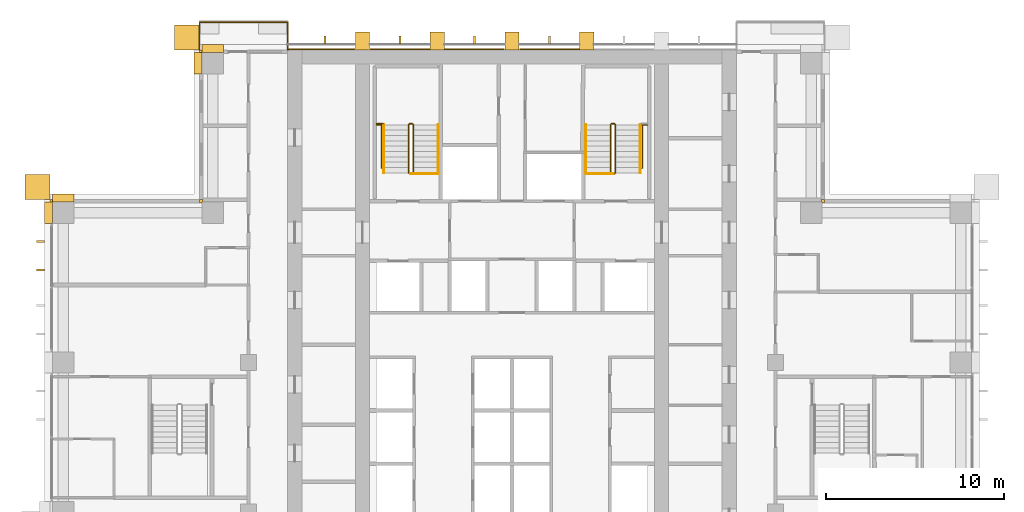
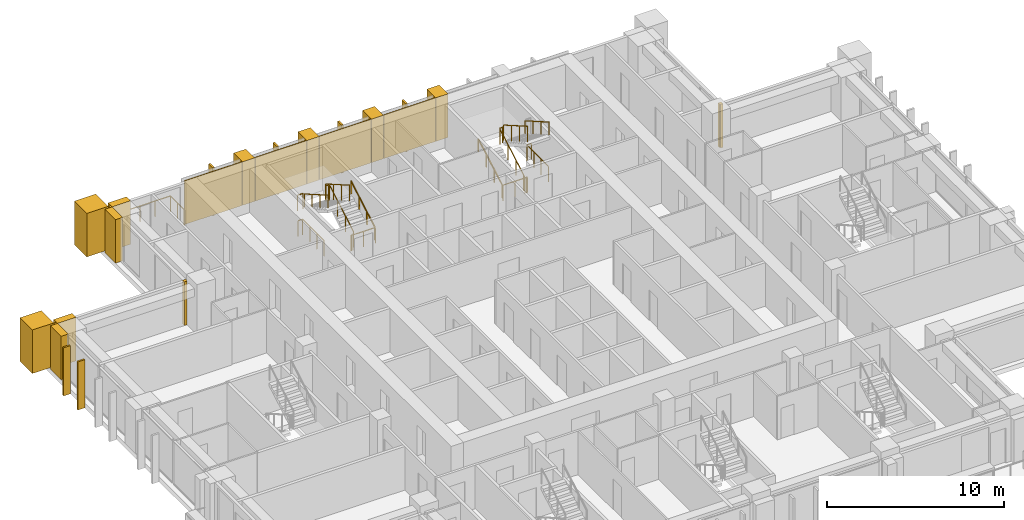
# One storey, part 20 of 21: 24 coverings, 12 railings.
"""IFC4 building model written with IfcOpenShell, lengths in metres."""

from ifc_helpers import new_model, si_unit, direction, frame, origin, origin_2d, place, context, subcontext, project, spatial, polyline, rectangle, outline, extrude, material, layer, layer_set, type_object, element, save


model = new_model("IFC4")

# Units and contexts
model_context = context("Model", 3, precision=1e-05, world=origin(), true_north=direction((0.0, 1.0)))
body_context = subcontext(model_context, "Body", "Model", "MODEL_VIEW")
ifc_project = project(units=[si_unit("LENGTHUNIT", "METRE"), si_unit("AREAUNIT", "SQUARE_METRE"), si_unit("VOLUMEUNIT", "CUBIC_METRE"), si_unit("PLANEANGLEUNIT", "RADIAN"), si_unit("MASSUNIT", "GRAM", prefix="KILO")], contexts=[model_context])

# Site, building, storey
site_placement = place(None, origin())
site = spatial("IfcSite", under=ifc_project, at=site_placement, CompositionType="ELEMENT")
building_placement = place(site_placement, origin())
building = spatial("IfcBuilding", under=site, at=building_placement, Name="Vermilion Ogive Tower", CompositionType="ELEMENT")
storey_placement = place(building_placement, frame((0.0, 0.0, 118.35009765625)))
storey = spatial("IfcBuildingStorey", under=building, at=storey_placement, Name="L30", CompositionType="ELEMENT", Elevation=118.35009765625)

# Railing
ifc_material_1 = material(Name="Stainless steel and glass", Category="steel")
railing_type_1 = type_object("IfcRailingType", Name="Balcony guard", PredefinedType="GUARDRAIL", material=ifc_material_1)
railing_1_placement = place(storey_placement, frame((-12.60009765625, 21.75, -0.0400390625)))
element("IfcRailing", 1, at=railing_1_placement, inside=storey, type_object=railing_type_1, Name="Guard N201", PredefinedType="GUARDRAIL", context=body_context, shape_type="SweptSolid", body=[
    extrude(rectangle(XDim=0.048095703125, YDim=0.048095703125, at=origin_2d()), frame((0.0, 0.0, 1.076171875), z_axis=(0.0, 1.0, 0.0), x_axis=(-1.0, 0.0, 0.0)), (0.0, 0.0, 1.0), 1.56396484375),
    extrude(rectangle(XDim=0.048095703125, YDim=0.048095703125, at=origin_2d()), frame((0.0, 1.56396484375, 1.076171875), z_axis=(-1.0, 0.0, 0.0), x_axis=(0.0, -1.0, 0.0)), (0.0, 0.0, 1.0), 4.949951171875),
    extrude(rectangle(XDim=0.048095703125, YDim=0.048095703125, at=origin_2d()), frame((-4.949951171875, 1.56396484375, 1.076171875), z_axis=(0.0, -1.0, 0.0), x_axis=(1.0, 0.0, 0.0)), (0.0, 0.0, 1.0), 1.56396484375),
    extrude(rectangle(XDim=0.0419921875, YDim=0.0419921875, at=origin_2d()), origin(), (0.0, 0.0, 1.0), 1.052001953125),
    extrude(rectangle(XDim=0.0419921875, YDim=0.0419921875, at=origin_2d()), frame((0.0, 0.781982421875, 0.0)), (0.0, 0.0, 1.0), 1.052001953125),
    extrude(rectangle(XDim=0.0419921875, YDim=0.0419921875, at=origin_2d()), frame((0.0, 1.56396484375, 0.0)), (0.0, 0.0, 1.0), 1.052001953125),
    extrude(rectangle(XDim=0.0419921875, YDim=0.0419921875, at=origin_2d()), frame((-0.989990234375, 1.56396484375, 0.0)), (0.0, 0.0, 1.0), 1.052001953125),
    extrude(rectangle(XDim=0.0419921875, YDim=0.0419921875, at=origin_2d()), frame((-1.97998046875, 1.56396484375, 0.0)), (0.0, 0.0, 1.0), 1.052001953125),
    extrude(rectangle(XDim=0.0419921875, YDim=0.0419921875, at=origin_2d()), frame((-2.969970703125, 1.56396484375, 0.0)), (0.0, 0.0, 1.0), 1.052001953125),
    extrude(rectangle(XDim=0.0419921875, YDim=0.0419921875, at=origin_2d()), frame((-3.9599609375, 1.56396484375, 0.0)), (0.0, 0.0, 1.0), 1.052001953125),
    extrude(rectangle(XDim=0.0419921875, YDim=0.0419921875, at=origin_2d()), frame((-4.949951171875, 1.56396484375, 0.0)), (0.0, 0.0, 1.0), 1.052001953125),
    extrude(rectangle(XDim=0.0419921875, YDim=0.0419921875, at=origin_2d()), frame((-4.949951171875, 0.781982421875, 0.0)), (0.0, 0.0, 1.0), 1.052001953125),
    extrude(rectangle(XDim=0.0419921875, YDim=0.0419921875, at=origin_2d()), frame((-4.949951171875, 0.0, 0.0)), (0.0, 0.0, 1.0), 1.052001953125),
])

# Coverings
ifc_material_2 = material(Name="Glazed ceramic screen")
ifc_layer = layer(ifc_material_2, 0.14990234375)
ifc_layer_set = layer_set([ifc_layer], Name="Ceramic solar screen fin")
covering_type_1 = type_object("IfcCoveringType", Name="Ceramic solar screen fin", PredefinedType="CLADDING", material=ifc_layer_set)
covering_1_placement = place(storey_placement, frame((0.0, 0.0, -0.320068359375)))
element("IfcCovering", 2, at=covering_1_placement, inside=storey, type_object=covering_type_1, Name="Solar screen blade W021", PredefinedType="CLADDING", context=body_context, shape_type="SweptSolid", body=[
    extrude(outline(polyline([(-26.699951171875, 11.06005859375), (-26.699951171875, 10.93994140625), (-26.25, 10.93994140625), (-26.25, 11.06005859375), (-26.699951171875, 11.06005859375)])), origin(), (0.0, 0.0, 1.0), 3.320068359375),
])
covering_2_placement = place(storey_placement, frame((0.0, 0.0, -0.320068359375)))
element("IfcCovering", 3, at=covering_2_placement, inside=storey, type_object=covering_type_1, Name="Solar screen blade W022", PredefinedType="CLADDING", context=body_context, shape_type="SweptSolid", body=[
    extrude(outline(polyline([(-26.699951171875, 9.4599609375), (-26.699951171875, 9.340087890625), (-26.25, 9.340087890625), (-26.25, 9.4599609375), (-26.699951171875, 9.4599609375)])), origin(), (0.0, 0.0, 1.0), 3.320068359375),
])
covering_3_placement = place(storey_placement, frame((0.0, 0.0, -0.320068359375)))
element("IfcCovering", 4, at=covering_3_placement, inside=storey, type_object=covering_type_1, Name="Solar screen blade N1", PredefinedType="CLADDING", context=body_context, shape_type="SweptSolid", body=[
    extrude(outline(polyline([(-10.56005859375, 22.08203125), (-10.43994140625, 22.08203125), (-10.43994140625, 22.531982421875), (-10.56005859375, 22.531982421875), (-10.56005859375, 22.08203125)])), origin(), (0.0, 0.0, 1.0), 3.320068359375),
])
covering_4_placement = place(storey_placement, frame((0.0, 0.0, -0.320068359375)))
element("IfcCovering", 5, at=covering_4_placement, inside=storey, type_object=covering_type_1, Name="Solar screen blade N2", PredefinedType="CLADDING", context=body_context, shape_type="SweptSolid", body=[
    extrude(outline(polyline([(-6.360107421875, 22.08203125), (-6.239990234375, 22.08203125), (-6.239990234375, 22.531982421875), (-6.360107421875, 22.531982421875), (-6.360107421875, 22.08203125)])), origin(), (0.0, 0.0, 1.0), 3.320068359375),
])
covering_5_placement = place(storey_placement, frame((0.0, 0.0, -0.320068359375)))
element("IfcCovering", 6, at=covering_5_placement, inside=storey, type_object=covering_type_1, Name="Solar screen blade N3", PredefinedType="CLADDING", context=body_context, shape_type="SweptSolid", body=[
    extrude(outline(polyline([(-2.159912109375, 22.08203125), (-2.0400390625, 22.08203125), (-2.0400390625, 22.531982421875), (-2.159912109375, 22.531982421875), (-2.159912109375, 22.08203125)])), origin(), (0.0, 0.0, 1.0), 3.320068359375),
])
covering_6_placement = place(storey_placement, frame((0.0, 0.0, -0.320068359375)))
element("IfcCovering", 7, at=covering_6_placement, inside=storey, type_object=covering_type_1, Name="Solar screen blade N4", PredefinedType="CLADDING", context=body_context, shape_type="SweptSolid", body=[
    extrude(outline(polyline([(2.0400390625, 22.08203125), (2.159912109375, 22.08203125), (2.159912109375, 22.531982421875), (2.0400390625, 22.531982421875), (2.0400390625, 22.08203125)])), origin(), (0.0, 0.0, 1.0), 3.320068359375),
])

# Railings
ifc_material_3 = material(Name="Steel S355 painted", Category="steel")
railing_type_2 = type_object("IfcRailingType", Name="Stair guard 1100", PredefinedType="GUARDRAIL", material=ifc_material_3)
railing_2_placement = place(storey_placement, frame((-5.75, 14.800048828125, 0.0)))
element("IfcRailing", 8, at=railing_2_placement, inside=storey, type_object=railing_type_2, Name="L30 ST1 stair guard 4", PredefinedType="GUARDRAIL", context=body_context, shape_type="SweptSolid", body=[
    extrude(rectangle(XDim=0.048095703125, YDim=0.048095703125, at=origin_2d()), frame((0.0, 0.0, 1.076171875), z_axis=(1.0, 0.0, 0.0), x_axis=(0.0, 1.0, 0.0)), (0.0, 0.0, 1.0), 0.14990234375),
    extrude(rectangle(XDim=0.048095703125, YDim=0.048095703125, at=origin_2d()), frame((0.14990234375, 0.0, 1.076171875), z_axis=(0.268603158521, 0.268603158521, 0.925043072762), x_axis=(-0.707106781187, 0.707106781187, 0.0)), (0.0, 0.0, 1.0), 0.186279296875),
    extrude(rectangle(XDim=0.048095703125, YDim=0.048095703125, at=origin_2d()), frame((0.199951171875, 0.050048828125, 1.24853515625), z_axis=(0.0, 0.866903762492, 0.498475542607), x_axis=(-1.0, 0.0, 0.0)), (0.0, 0.0, 1.0), 3.114501953125),
    extrude(rectangle(XDim=0.048095703125, YDim=0.048095703125, at=origin_2d()), frame((0.199951171875, 2.75, 2.80078125), z_axis=(-0.707106781187, 0.707106781187, 0.0), x_axis=(-0.707106781187, -0.707106781187, 0.0)), (0.0, 0.0, 1.0), 0.07080078125),
    extrude(rectangle(XDim=0.048095703125, YDim=0.048095703125, at=origin_2d()), frame((0.14990234375, 2.800048828125, 2.80078125), z_axis=(-1.0, 0.0, 0.0), x_axis=(0.0, -1.0, 0.0)), (0.0, 0.0, 1.0), 0.14990234375),
    extrude(rectangle(XDim=0.048095703125, YDim=0.048095703125, at=origin_2d()), frame((0.0, 2.800048828125, 2.80078125), z_axis=(-0.268277960024, -0.268277960024, 0.925231793839), x_axis=(0.707106781187, -0.707106781187, 0.0)), (0.0, 0.0, 1.0), 0.1865234375),
    extrude(rectangle(XDim=0.048095703125, YDim=0.048095703125, at=origin_2d()), frame((-0.050048828125, 2.75, 2.9736328125), z_axis=(0.0, -0.866903762492, 0.498475542607), x_axis=(1.0, 0.0, 0.0)), (0.0, 0.0, 1.0), 3.114501953125),
    extrude(rectangle(XDim=0.0419921875, YDim=0.0419921875, at=origin_2d()), origin(), (0.0, 0.0, 1.0), 1.052001953125),
    extrude(rectangle(XDim=0.0419921875, YDim=0.0419921875, at=origin_2d()), frame((0.14990234375, 0.0, 0.0)), (0.0, 0.0, 1.0), 1.052001953125),
    extrude(rectangle(XDim=0.0419921875, YDim=0.0419921875, at=origin_2d()), frame((0.199951171875, 0.050048828125, 0.17236328125)), (0.0, 0.0, 1.0), 1.052001953125),
    extrude(rectangle(XDim=0.0419921875, YDim=0.0419921875, at=origin_2d()), frame((0.199951171875, 0.949951171875, 0.68994140625)), (0.0, 0.0, 1.0), 1.052001953125),
    extrude(rectangle(XDim=0.0419921875, YDim=0.0419921875, at=origin_2d()), frame((0.199951171875, 1.85009765625, 1.207275390625)), (0.0, 0.0, 1.0), 1.052001953125),
    extrude(rectangle(XDim=0.0419921875, YDim=0.0419921875, at=origin_2d()), frame((0.199951171875, 2.75, 1.724853515625)), (0.0, 0.0, 1.0), 1.052001953125),
    extrude(rectangle(XDim=0.0419921875, YDim=0.0419921875, at=origin_2d()), frame((0.14990234375, 2.800048828125, 1.724853515625)), (0.0, 0.0, 1.0), 1.052001953125),
    extrude(rectangle(XDim=0.0419921875, YDim=0.0419921875, at=origin_2d()), frame((0.0, 2.800048828125, 1.724853515625)), (0.0, 0.0, 1.0), 1.052001953125),
    extrude(rectangle(XDim=0.0419921875, YDim=0.0419921875, at=origin_2d()), frame((-0.050048828125, 2.75, 1.8974609375)), (0.0, 0.0, 1.0), 1.052001953125),
    extrude(rectangle(XDim=0.0419921875, YDim=0.0419921875, at=origin_2d()), frame((-0.050048828125, 1.85009765625, 2.4150390625)), (0.0, 0.0, 1.0), 1.052001953125),
    extrude(rectangle(XDim=0.0419921875, YDim=0.0419921875, at=origin_2d()), frame((-0.050048828125, 0.949951171875, 2.932373046875)), (0.0, 0.0, 1.0), 1.052001953125),
    extrude(rectangle(XDim=0.0419921875, YDim=0.0419921875, at=origin_2d()), frame((-0.050048828125, 0.050048828125, 3.449951171875)), (0.0, 0.0, 1.0), 1.052001953125),
])
railing_3_placement = place(storey_placement, frame((5.75, 14.800048828125, 0.0)))
element("IfcRailing", 9, at=railing_3_placement, inside=storey, type_object=railing_type_2, Name="L30 ST2 stair guard 4", PredefinedType="GUARDRAIL", context=body_context, shape_type="SweptSolid", body=[
    extrude(rectangle(XDim=0.048095703125, YDim=0.048095703125, at=origin_2d()), frame((0.0, 0.0, 1.076171875), z_axis=(-1.0, 0.0, 0.0), x_axis=(0.0, -1.0, 0.0)), (0.0, 0.0, 1.0), 0.14990234375),
    extrude(rectangle(XDim=0.048095703125, YDim=0.048095703125, at=origin_2d()), frame((-0.14990234375, 0.0, 1.076171875), z_axis=(-0.268603158521, 0.268603158521, 0.925043072762), x_axis=(-0.707106781187, -0.707106781187, 0.0)), (0.0, 0.0, 1.0), 0.186279296875),
    extrude(rectangle(XDim=0.048095703125, YDim=0.048095703125, at=origin_2d()), frame((-0.199951171875, 0.050048828125, 1.24853515625), z_axis=(0.0, 0.866903762492, 0.498475542607), x_axis=(-1.0, 0.0, 0.0)), (0.0, 0.0, 1.0), 3.114501953125),
    extrude(rectangle(XDim=0.048095703125, YDim=0.048095703125, at=origin_2d()), frame((-0.199951171875, 2.75, 2.80078125), z_axis=(0.707106781187, 0.707106781187, 0.0), x_axis=(-0.707106781187, 0.707106781187, 0.0)), (0.0, 0.0, 1.0), 0.07080078125),
    extrude(rectangle(XDim=0.048095703125, YDim=0.048095703125, at=origin_2d()), frame((-0.14990234375, 2.800048828125, 2.80078125), z_axis=(1.0, 0.0, 0.0), x_axis=(0.0, 1.0, 0.0)), (0.0, 0.0, 1.0), 0.14990234375),
    extrude(rectangle(XDim=0.048095703125, YDim=0.048095703125, at=origin_2d()), frame((0.0, 2.800048828125, 2.80078125), z_axis=(0.268277960024, -0.268277960024, 0.925231793839), x_axis=(0.707106781187, 0.707106781187, 0.0)), (0.0, 0.0, 1.0), 0.1865234375),
    extrude(rectangle(XDim=0.048095703125, YDim=0.048095703125, at=origin_2d()), frame((0.050048828125, 2.75, 2.9736328125), z_axis=(0.0, -0.866903762492, 0.498475542607), x_axis=(1.0, 0.0, 0.0)), (0.0, 0.0, 1.0), 3.114501953125),
    extrude(rectangle(XDim=0.0419921875, YDim=0.0419921875, at=origin_2d()), origin(), (0.0, 0.0, 1.0), 1.052001953125),
    extrude(rectangle(XDim=0.0419921875, YDim=0.0419921875, at=origin_2d()), frame((-0.14990234375, 0.0, 0.0)), (0.0, 0.0, 1.0), 1.052001953125),
    extrude(rectangle(XDim=0.0419921875, YDim=0.0419921875, at=origin_2d()), frame((-0.199951171875, 0.050048828125, 0.17236328125)), (0.0, 0.0, 1.0), 1.052001953125),
    extrude(rectangle(XDim=0.0419921875, YDim=0.0419921875, at=origin_2d()), frame((-0.199951171875, 0.949951171875, 0.68994140625)), (0.0, 0.0, 1.0), 1.052001953125),
    extrude(rectangle(XDim=0.0419921875, YDim=0.0419921875, at=origin_2d()), frame((-0.199951171875, 1.85009765625, 1.207275390625)), (0.0, 0.0, 1.0), 1.052001953125),
    extrude(rectangle(XDim=0.0419921875, YDim=0.0419921875, at=origin_2d()), frame((-0.199951171875, 2.75, 1.724853515625)), (0.0, 0.0, 1.0), 1.052001953125),
    extrude(rectangle(XDim=0.0419921875, YDim=0.0419921875, at=origin_2d()), frame((-0.14990234375, 2.800048828125, 1.724853515625)), (0.0, 0.0, 1.0), 1.052001953125),
    extrude(rectangle(XDim=0.0419921875, YDim=0.0419921875, at=origin_2d()), frame((0.0, 2.800048828125, 1.724853515625)), (0.0, 0.0, 1.0), 1.052001953125),
    extrude(rectangle(XDim=0.0419921875, YDim=0.0419921875, at=origin_2d()), frame((0.050048828125, 2.75, 1.8974609375)), (0.0, 0.0, 1.0), 1.052001953125),
    extrude(rectangle(XDim=0.0419921875, YDim=0.0419921875, at=origin_2d()), frame((0.050048828125, 1.85009765625, 2.4150390625)), (0.0, 0.0, 1.0), 1.052001953125),
    extrude(rectangle(XDim=0.0419921875, YDim=0.0419921875, at=origin_2d()), frame((0.050048828125, 0.949951171875, 2.932373046875)), (0.0, 0.0, 1.0), 1.052001953125),
    extrude(rectangle(XDim=0.0419921875, YDim=0.0419921875, at=origin_2d()), frame((0.050048828125, 0.050048828125, 3.449951171875)), (0.0, 0.0, 1.0), 1.052001953125),
])
railing_4_placement = place(storey_placement, frame((-7.60009765625, 17.60009765625, 1.724853515625)))
element("IfcRailing", 10, at=railing_4_placement, inside=storey, type_object=railing_type_2, Name="L30 landing guard", PredefinedType="GUARDRAIL", context=body_context, shape_type="SweptSolid", body=[
    extrude(rectangle(XDim=0.048095703125, YDim=0.048095703125, at=origin_2d()), frame((0.0, 0.0, 1.076171875), z_axis=(1.0, 0.0, 0.0), x_axis=(0.0, 1.0, 0.0)), (0.0, 0.0, 1.0), 0.35009765625),
    extrude(rectangle(XDim=0.0419921875, YDim=0.0419921875, at=origin_2d()), origin(), (0.0, 0.0, 1.0), 1.052001953125),
    extrude(rectangle(XDim=0.0419921875, YDim=0.0419921875, at=origin_2d()), frame((0.35009765625, 0.0, 0.0)), (0.0, 0.0, 1.0), 1.052001953125),
])
railing_5_placement = place(storey_placement, frame((-4.159912109375, 14.7900390625, 0.0)))
element("IfcRailing", 11, at=railing_5_placement, inside=storey, type_object=railing_type_2, Name="L30 stair opening guard", PredefinedType="GUARDRAIL", context=body_context, shape_type="SweptSolid", body=[
    extrude(rectangle(XDim=0.048095703125, YDim=0.048095703125, at=origin_2d()), frame((0.0, 0.0, 1.076171875), z_axis=(-1.0, 0.0, 0.0), x_axis=(0.0, -1.0, 0.0)), (0.0, 0.0, 1.0), 1.5400390625),
    extrude(rectangle(XDim=0.0419921875, YDim=0.0419921875, at=origin_2d()), origin(), (0.0, 0.0, 1.0), 1.052001953125),
    extrude(rectangle(XDim=0.0419921875, YDim=0.0419921875, at=origin_2d()), frame((-0.77001953125, 0.0, 0.0)), (0.0, 0.0, 1.0), 1.052001953125),
    extrude(rectangle(XDim=0.0419921875, YDim=0.0419921875, at=origin_2d()), frame((-1.5400390625, 0.0, 0.0)), (0.0, 0.0, 1.0), 1.052001953125),
])
railing_6_placement = place(storey_placement, frame((-7.3095703125, 15.11865234375, 0.0)))
element("IfcRailing", 12, at=railing_6_placement, inside=storey, type_object=railing_type_2, Name="L30 stair opening guard", PredefinedType="GUARDRAIL", context=body_context, shape_type="SweptSolid", body=[
    extrude(rectangle(XDim=0.048095703125, YDim=0.048095703125, at=origin_2d()), frame((0.0, 0.0, 1.076171875), z_axis=(0.0, 1.0, 0.0), x_axis=(-1.0, 0.0, 0.0)), (0.0, 0.0, 1.0), 2.42431640625),
    extrude(rectangle(XDim=0.048095703125, YDim=0.048095703125, at=origin_2d()), frame((0.0, 2.42431640625, 1.076171875), z_axis=(-1.0, 0.0, 0.0), x_axis=(0.0, -1.0, 0.0)), (0.0, 0.0, 1.0), 0.2900390625),
    extrude(rectangle(XDim=0.0419921875, YDim=0.0419921875, at=origin_2d()), origin(), (0.0, 0.0, 1.0), 1.052001953125),
    extrude(rectangle(XDim=0.0419921875, YDim=0.0419921875, at=origin_2d()), frame((0.0, 0.80810546875, 0.0)), (0.0, 0.0, 1.0), 1.052001953125),
    extrude(rectangle(XDim=0.0419921875, YDim=0.0419921875, at=origin_2d()), frame((0.0, 1.6162109375, 0.0)), (0.0, 0.0, 1.0), 1.052001953125),
    extrude(rectangle(XDim=0.0419921875, YDim=0.0419921875, at=origin_2d()), frame((0.0, 2.42431640625, 0.0)), (0.0, 0.0, 1.0), 1.052001953125),
    extrude(rectangle(XDim=0.0419921875, YDim=0.0419921875, at=origin_2d()), frame((-0.2900390625, 2.42431640625, 0.0)), (0.0, 0.0, 1.0), 1.052001953125),
])
railing_7_placement = place(storey_placement, frame((7.599609375, 17.54296875, 0.0)))
element("IfcRailing", 13, at=railing_7_placement, inside=storey, type_object=railing_type_2, Name="L30 stair opening guard", PredefinedType="GUARDRAIL", context=body_context, shape_type="SweptSolid", body=[
    extrude(rectangle(XDim=0.048095703125, YDim=0.048095703125, at=origin_2d()), frame((0.0, 0.0, 1.076171875), z_axis=(-1.0, 0.0, 0.0), x_axis=(0.0, -1.0, 0.0)), (0.0, 0.0, 1.0), 0.2900390625),
    extrude(rectangle(XDim=0.048095703125, YDim=0.048095703125, at=origin_2d()), frame((-0.2900390625, 0.0, 1.076171875), z_axis=(0.0, -1.0, 0.0), x_axis=(1.0, 0.0, 0.0)), (0.0, 0.0, 1.0), 2.42431640625),
    extrude(rectangle(XDim=0.0419921875, YDim=0.0419921875, at=origin_2d()), origin(), (0.0, 0.0, 1.0), 1.052001953125),
    extrude(rectangle(XDim=0.0419921875, YDim=0.0419921875, at=origin_2d()), frame((-0.2900390625, 0.0, 0.0)), (0.0, 0.0, 1.0), 1.052001953125),
    extrude(rectangle(XDim=0.0419921875, YDim=0.0419921875, at=origin_2d()), frame((-0.2900390625, -0.80810546875, 0.0)), (0.0, 0.0, 1.0), 1.052001953125),
    extrude(rectangle(XDim=0.0419921875, YDim=0.0419921875, at=origin_2d()), frame((-0.2900390625, -1.6162109375, 0.0)), (0.0, 0.0, 1.0), 1.052001953125),
    extrude(rectangle(XDim=0.0419921875, YDim=0.0419921875, at=origin_2d()), frame((-0.2900390625, -2.42431640625, 0.0)), (0.0, 0.0, 1.0), 1.052001953125),
])
railing_8_placement = place(storey_placement, frame((5.699951171875, 14.7900390625, 0.0)))
element("IfcRailing", 14, at=railing_8_placement, inside=storey, type_object=railing_type_2, Name="L30 stair opening guard", PredefinedType="GUARDRAIL", context=body_context, shape_type="SweptSolid", body=[
    extrude(rectangle(XDim=0.048095703125, YDim=0.048095703125, at=origin_2d()), frame((0.0, 0.0, 1.076171875), z_axis=(-1.0, 0.0, 0.0), x_axis=(0.0, -1.0, 0.0)), (0.0, 0.0, 1.0), 1.5400390625),
    extrude(rectangle(XDim=0.0419921875, YDim=0.0419921875, at=origin_2d()), origin(), (0.0, 0.0, 1.0), 1.052001953125),
    extrude(rectangle(XDim=0.0419921875, YDim=0.0419921875, at=origin_2d()), frame((-0.77001953125, 0.0, 0.0)), (0.0, 0.0, 1.0), 1.052001953125),
    extrude(rectangle(XDim=0.0419921875, YDim=0.0419921875, at=origin_2d()), frame((-1.5400390625, 0.0, 0.0)), (0.0, 0.0, 1.0), 1.052001953125),
])
ifc_material_4 = material(Name="Stainless steel", Category="steel")
railing_type_3 = type_object("IfcRailingType", Name="Stair handrail 900", PredefinedType="HANDRAIL", material=ifc_material_4)
railing_9_placement = place(storey_placement, frame((-4.14990234375, 14.85009765625, 0.17236328125)))
element("IfcRailing", 15, at=railing_9_placement, inside=storey, type_object=railing_type_3, Name="L30 ST1 stair handrail 1", PredefinedType="HANDRAIL", context=body_context, shape_type="SweptSolid", body=[
    extrude(rectangle(XDim=0.048095703125, YDim=0.048095703125, at=origin_2d()), frame((0.0, 0.0, 0.8759765625), z_axis=(0.0, 0.866903762492, 0.498475542607), x_axis=(-1.0, 0.0, 0.0)), (0.0, 0.0, 1.0), 3.114501953125),
    extrude(rectangle(XDim=0.0419921875, YDim=0.0419921875, at=origin_2d()), origin(), (0.0, 0.0, 1.0), 0.851806640625),
    extrude(rectangle(XDim=0.0419921875, YDim=0.0419921875, at=origin_2d()), frame((0.0, 0.89990234375, 0.517578125)), (0.0, 0.0, 1.0), 0.851806640625),
    extrude(rectangle(XDim=0.0419921875, YDim=0.0419921875, at=origin_2d()), frame((0.0, 1.800048828125, 1.034912109375)), (0.0, 0.0, 1.0), 0.851806640625),
    extrude(rectangle(XDim=0.0419921875, YDim=0.0419921875, at=origin_2d()), frame((0.0, 2.699951171875, 1.552490234375)), (0.0, 0.0, 1.0), 0.851806640625),
])
railing_10_placement = place(storey_placement, frame((-7.199951171875, 17.550048828125, 1.8974609375)))
element("IfcRailing", 16, at=railing_10_placement, inside=storey, type_object=railing_type_3, Name="L30 ST1 stair handrail 2", PredefinedType="HANDRAIL", context=body_context, shape_type="SweptSolid", body=[
    extrude(rectangle(XDim=0.048095703125, YDim=0.048095703125, at=origin_2d()), frame((0.0, 0.0, 0.8759765625), z_axis=(0.0, -0.866903762492, 0.498475542607), x_axis=(1.0, 0.0, 0.0)), (0.0, 0.0, 1.0), 3.114501953125),
    extrude(rectangle(XDim=0.0419921875, YDim=0.0419921875, at=origin_2d()), origin(), (0.0, 0.0, 1.0), 0.851806640625),
    extrude(rectangle(XDim=0.0419921875, YDim=0.0419921875, at=origin_2d()), frame((0.0, -0.89990234375, 0.517578125)), (0.0, 0.0, 1.0), 0.851806640625),
    extrude(rectangle(XDim=0.0419921875, YDim=0.0419921875, at=origin_2d()), frame((0.0, -1.800048828125, 1.034912109375)), (0.0, 0.0, 1.0), 0.851806640625),
    extrude(rectangle(XDim=0.0419921875, YDim=0.0419921875, at=origin_2d()), frame((0.0, -2.699951171875, 1.552490234375)), (0.0, 0.0, 1.0), 0.851806640625),
])
railing_11_placement = place(storey_placement, frame((4.14990234375, 14.85009765625, 0.17236328125)))
element("IfcRailing", 17, at=railing_11_placement, inside=storey, type_object=railing_type_3, Name="L30 ST2 stair handrail 1", PredefinedType="HANDRAIL", context=body_context, shape_type="SweptSolid", body=[
    extrude(rectangle(XDim=0.048095703125, YDim=0.048095703125, at=origin_2d()), frame((0.0, 0.0, 0.8759765625), z_axis=(0.0, 0.866903762492, 0.498475542607), x_axis=(-1.0, 0.0, 0.0)), (0.0, 0.0, 1.0), 3.114501953125),
    extrude(rectangle(XDim=0.0419921875, YDim=0.0419921875, at=origin_2d()), origin(), (0.0, 0.0, 1.0), 0.851806640625),
    extrude(rectangle(XDim=0.0419921875, YDim=0.0419921875, at=origin_2d()), frame((0.0, 0.89990234375, 0.517578125)), (0.0, 0.0, 1.0), 0.851806640625),
    extrude(rectangle(XDim=0.0419921875, YDim=0.0419921875, at=origin_2d()), frame((0.0, 1.800048828125, 1.034912109375)), (0.0, 0.0, 1.0), 0.851806640625),
    extrude(rectangle(XDim=0.0419921875, YDim=0.0419921875, at=origin_2d()), frame((0.0, 2.699951171875, 1.552490234375)), (0.0, 0.0, 1.0), 0.851806640625),
])
railing_12_placement = place(storey_placement, frame((7.199951171875, 17.550048828125, 1.8974609375)))
element("IfcRailing", 18, at=railing_12_placement, inside=storey, type_object=railing_type_3, Name="L30 ST2 stair handrail 2", PredefinedType="HANDRAIL", context=body_context, shape_type="SweptSolid", body=[
    extrude(rectangle(XDim=0.048095703125, YDim=0.048095703125, at=origin_2d()), frame((0.0, 0.0, 0.8759765625), z_axis=(0.0, -0.866903762492, 0.498475542607), x_axis=(1.0, 0.0, 0.0)), (0.0, 0.0, 1.0), 3.114501953125),
    extrude(rectangle(XDim=0.0419921875, YDim=0.0419921875, at=origin_2d()), origin(), (0.0, 0.0, 1.0), 0.851806640625),
    extrude(rectangle(XDim=0.0419921875, YDim=0.0419921875, at=origin_2d()), frame((0.0, -0.89990234375, 0.517578125)), (0.0, 0.0, 1.0), 0.851806640625),
    extrude(rectangle(XDim=0.0419921875, YDim=0.0419921875, at=origin_2d()), frame((0.0, -1.800048828125, 1.034912109375)), (0.0, 0.0, 1.0), 0.851806640625),
    extrude(rectangle(XDim=0.0419921875, YDim=0.0419921875, at=origin_2d()), frame((0.0, -2.699951171875, 1.552490234375)), (0.0, 0.0, 1.0), 0.851806640625),
])

# Coverings
ifc_material_5 = material(Name="Stone cladding", Category="masonry")
covering_type_2 = type_object("IfcCoveringType", Name="Stone buttress pier", PredefinedType="CLADDING", material=ifc_material_5)
covering_7_placement = place(storey_placement, origin())
element("IfcCovering", 19, at=covering_7_placement, inside=storey, type_object=covering_type_2, Name="Stone buttress pier N1", PredefinedType="CLADDING", context=body_context, shape_type="SweptSolid", body=[
    extrude(outline(polyline([(-8.800048828125, 21.75), (-8.0, 21.75), (-8.0, 22.75), (-8.800048828125, 22.75), (-8.800048828125, 21.75)])), origin(), (0.0, 0.0, 1.0), 3.0),
])
covering_8_placement = place(storey_placement, origin())
element("IfcCovering", 20, at=covering_8_placement, inside=storey, type_object=covering_type_2, Name="Stone buttress pier N2", PredefinedType="CLADDING", context=body_context, shape_type="SweptSolid", body=[
    extrude(outline(polyline([(-4.60009765625, 21.75), (-3.800048828125, 21.75), (-3.800048828125, 22.75), (-4.60009765625, 22.75), (-4.60009765625, 21.75)])), origin(), (0.0, 0.0, 1.0), 3.0),
])
covering_9_placement = place(storey_placement, origin())
element("IfcCovering", 21, at=covering_9_placement, inside=storey, type_object=covering_type_2, Name="Stone buttress pier N3", PredefinedType="CLADDING", context=body_context, shape_type="SweptSolid", body=[
    extrude(outline(polyline([(-0.39990234375, 21.75), (0.39990234375, 21.75), (0.39990234375, 22.75), (-0.39990234375, 22.75), (-0.39990234375, 21.75)])), origin(), (0.0, 0.0, 1.0), 3.0),
])
covering_10_placement = place(storey_placement, origin())
element("IfcCovering", 22, at=covering_10_placement, inside=storey, type_object=covering_type_2, Name="Stone buttress pier N4", PredefinedType="CLADDING", context=body_context, shape_type="SweptSolid", body=[
    extrude(outline(polyline([(3.800048828125, 21.75), (4.60009765625, 21.75), (4.60009765625, 22.75), (3.800048828125, 22.75), (3.800048828125, 21.75)])), origin(), (0.0, 0.0, 1.0), 3.0),
])
ifc_material_6 = material(Name="Stone cladding", Category="masonry")
covering_type_3 = type_object("IfcCoveringType", Name="Stone cladding panel", PredefinedType="CLADDING", material=ifc_material_6)
covering_11_placement = place(storey_placement, origin())
element("IfcCovering", 23, at=covering_11_placement, inside=storey, type_object=covering_type_3, Name="Stone cladding panel N1", PredefinedType="CLADDING", context=body_context, shape_type="SweptSolid", body=[
    extrude(outline(polyline([(-12.590087890625, 21.75), (-8.830078125, 21.75), (-8.830078125, 21.81005859375), (-12.590087890625, 21.81005859375), (-12.590087890625, 21.75)])), origin(), (0.0, 0.0, 1.0), 3.0),
])
covering_12_placement = place(storey_placement, origin())
element("IfcCovering", 24, at=covering_12_placement, inside=storey, type_object=covering_type_3, Name="Stone cladding panel N2", PredefinedType="CLADDING", context=body_context, shape_type="SweptSolid", body=[
    extrude(outline(polyline([(-7.969970703125, 21.75), (-4.6298828125, 21.75), (-4.6298828125, 21.81005859375), (-7.969970703125, 21.81005859375), (-7.969970703125, 21.75)])), origin(), (0.0, 0.0, 1.0), 3.0),
])
covering_13_placement = place(storey_placement, origin())
element("IfcCovering", 25, at=covering_13_placement, inside=storey, type_object=covering_type_3, Name="Stone cladding panel N3", PredefinedType="CLADDING", context=body_context, shape_type="SweptSolid", body=[
    extrude(outline(polyline([(-3.77001953125, 21.75), (-0.429931640625, 21.75), (-0.429931640625, 21.81005859375), (-3.77001953125, 21.81005859375), (-3.77001953125, 21.75)])), origin(), (0.0, 0.0, 1.0), 3.0),
])
covering_14_placement = place(storey_placement, origin())
element("IfcCovering", 26, at=covering_14_placement, inside=storey, type_object=covering_type_3, Name="Stone cladding panel N4", PredefinedType="CLADDING", context=body_context, shape_type="SweptSolid", body=[
    extrude(outline(polyline([(0.429931640625, 21.75), (3.77001953125, 21.75), (3.77001953125, 21.81005859375), (0.429931640625, 21.81005859375), (0.429931640625, 21.75)])), origin(), (0.0, 0.0, 1.0), 3.0),
])
ifc_material_7 = material(Name="Stone cladding", Category="masonry")
covering_type_4 = type_object("IfcCoveringType", Name="Stone corner buttress", PredefinedType="CLADDING", material=ifc_material_7)
covering_15_placement = place(storey_placement, origin())
element("IfcCovering", 27, at=covering_15_placement, inside=storey, type_object=covering_type_4, Name="Stone corner buttress X51", PredefinedType="CLADDING", context=body_context, shape_type="SweptSolid", body=[
    extrude(outline(polyline([(-18.949951171875, 21.75), (-18.949951171875, 23.14990234375), (-17.550048828125, 23.14990234375), (-17.550048828125, 22.050048828125), (-17.550048828125, 21.75), (-18.949951171875, 21.75)])), origin(), (0.0, 0.0, 1.0), 3.0),
])
covering_16_placement = place(storey_placement, origin())
element("IfcCovering", 28, at=covering_16_placement, inside=storey, type_object=covering_type_4, Name="Stone corner buttress W1", PredefinedType="CLADDING", context=body_context, shape_type="SweptSolid", body=[
    extrude(outline(polyline([(-27.35009765625, 14.75), (-25.949951171875, 14.75), (-25.949951171875, 13.35009765625), (-27.35009765625, 13.35009765625), (-27.35009765625, 14.75)])), origin(), (0.0, 0.0, 1.0), 3.0),
])
ifc_material_8 = material(Name="Stone cladding", Category="masonry")
covering_type_5 = type_object("IfcCoveringType", Name="Stone pier", PredefinedType="CLADDING", material=ifc_material_8)
covering_17_placement = place(storey_placement, origin())
element("IfcCovering", 29, at=covering_17_placement, inside=storey, type_object=covering_type_5, Name="Stone pier P-0168+210N2", PredefinedType="CLADDING", context=body_context, shape_type="SweptSolid", body=[
    extrude(outline(polyline([(-17.39990234375, 22.050048828125), (-16.199951171875, 22.050048828125), (-16.199951171875, 21.60009765625), (-17.39990234375, 21.60009765625), (-17.39990234375, 22.050048828125)])), origin(), (0.0, 0.0, 1.0), 3.0),
])
covering_18_placement = place(storey_placement, origin())
element("IfcCovering", 30, at=covering_18_placement, inside=storey, type_object=covering_type_5, Name="Stone pier P-0168+210X5", PredefinedType="CLADDING", context=body_context, shape_type="SweptSolid", body=[
    extrude(outline(polyline([(-17.85009765625, 21.60009765625), (-17.39990234375, 21.60009765625), (-17.39990234375, 20.39990234375), (-17.85009765625, 20.39990234375), (-17.85009765625, 21.60009765625)])), origin(), (0.0, 0.0, 1.0), 3.0),
])
covering_19_placement = place(storey_placement, origin())
element("IfcCovering", 31, at=covering_19_placement, inside=storey, type_object=covering_type_5, Name="Stone pier P-0252+126X6", PredefinedType="CLADDING", context=body_context, shape_type="SweptSolid", body=[
    extrude(outline(polyline([(-25.800048828125, 13.199951171875), (-25.800048828125, 13.64990234375), (-24.60009765625, 13.64990234375), (-24.60009765625, 13.199951171875), (-24.60009765625, 13.199951171875), (-25.800048828125, 13.199951171875)])), origin(), (0.0, 0.0, 1.0), 3.0),
])
covering_20_placement = place(storey_placement, origin())
element("IfcCovering", 32, at=covering_20_placement, inside=storey, type_object=covering_type_5, Name="Stone pier P-0252+126W", PredefinedType="CLADDING", context=body_context, shape_type="SweptSolid", body=[
    extrude(outline(polyline([(-26.25, 13.199951171875), (-25.800048828125, 13.199951171875), (-25.800048828125, 12.0), (-26.25, 12.0), (-26.25, 13.199951171875)])), origin(), (0.0, 0.0, 1.0), 3.0),
])
covering_21_placement = place(storey_placement, origin())
element("IfcCovering", 33, at=covering_21_placement, inside=storey, type_object=covering_type_5, Name="Stone corner pier X3E1", PredefinedType="CLADDING", context=body_context, shape_type="SweptSolid", body=[
    extrude(outline(polyline([(17.39990234375, 13.14990234375), (17.39990234375, 13.199951171875), (17.35009765625, 13.199951171875), (17.35009765625, 13.35009765625), (17.550048828125, 13.35009765625), (17.550048828125, 13.14990234375), (17.39990234375, 13.14990234375)])), origin(), (0.0, 0.0, 1.0), 3.0),
])
covering_22_placement = place(storey_placement, origin())
element("IfcCovering", 34, at=covering_22_placement, inside=storey, type_object=covering_type_5, Name="Stone corner pier N2E1", PredefinedType="CLADDING", context=body_context, shape_type="SweptSolid", body=[
    extrude(outline(polyline([(-17.39990234375, 21.75), (-17.39990234375, 21.60009765625), (-17.39990234375, 21.60009765625), (-17.550048828125, 21.60009765625), (-17.550048828125, 21.75), (-17.39990234375, 21.75)])), origin(), (0.0, 0.0, 1.0), 3.0),
])
covering_23_placement = place(storey_placement, origin())
element("IfcCovering", 35, at=covering_23_placement, inside=storey, type_object=covering_type_5, Name="Stone corner pier X5E1", PredefinedType="CLADDING", context=body_context, shape_type="SweptSolid", body=[
    extrude(outline(polyline([(-17.35009765625, 13.199951171875), (-17.39990234375, 13.199951171875), (-17.39990234375, 13.14990234375), (-17.550048828125, 13.14990234375), (-17.550048828125, 13.35009765625), (-17.35009765625, 13.35009765625), (-17.35009765625, 13.199951171875)])), origin(), (0.0, 0.0, 1.0), 3.0),
])
covering_24_placement = place(storey_placement, origin())
element("IfcCovering", 36, at=covering_24_placement, inside=storey, type_object=covering_type_5, Name="Stone corner pier X6E1", PredefinedType="CLADDING", context=body_context, shape_type="SweptSolid", body=[
    extrude(outline(polyline([(-25.800048828125, 13.35009765625), (-25.800048828125, 13.199951171875), (-25.949951171875, 13.199951171875), (-25.949951171875, 13.35009765625), (-25.800048828125, 13.35009765625)])), origin(), (0.0, 0.0, 1.0), 3.0),
])

save(model, "model.ifc")
